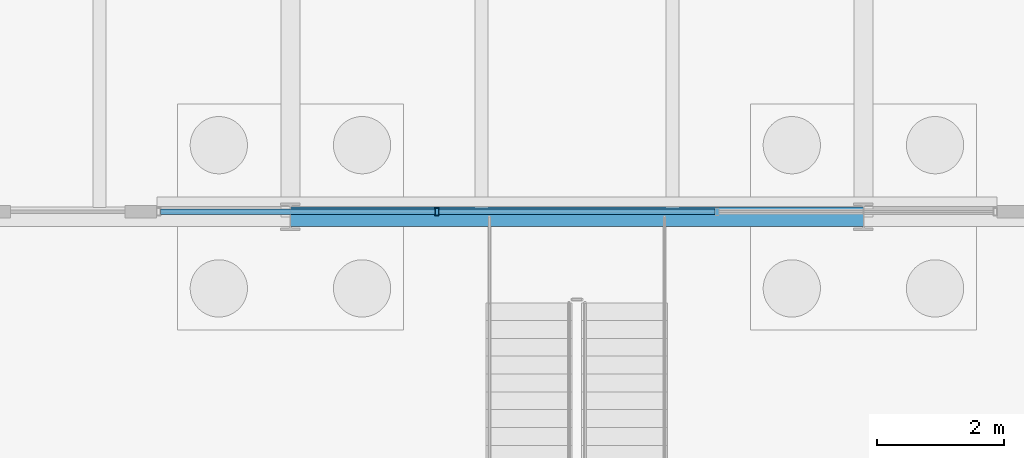
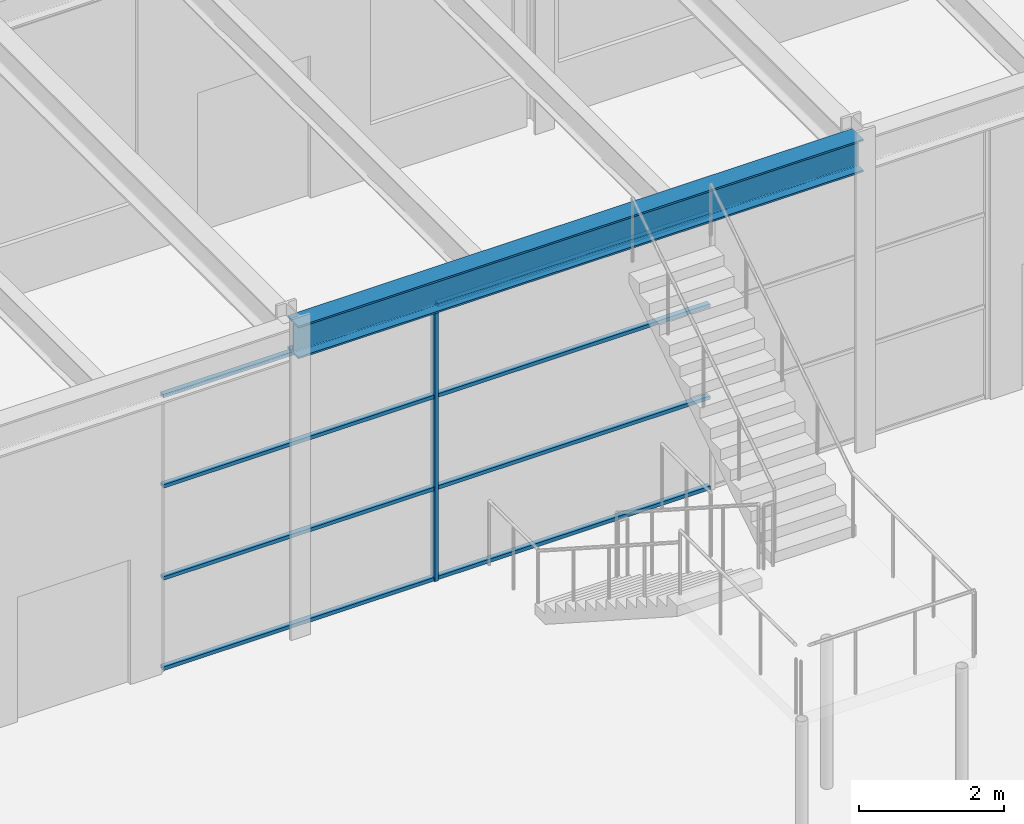
# One storey, part 44 of 126: 9 members, 1 beam, 1 element without a shape of its own.
"""IFC4 building model written with IfcOpenShell, lengths in metres."""

import ifcopenshell
import ifcopenshell.guid

model = None  # the IFC model being written
_history = None  # IfcOwnerHistory: only IFC2X3 demands one
_inside = {}  # id of a spatial element -> (the spatial element, [elements in it])
_under = {}  # id of a project, library or spatial element -> (it, [spatial elements below it])
_declared = {}  # id of a project -> (the project, [libraries it declares])
_typed = {}  # id of a type object -> (the type object, [elements of that type])
_made_of = {}  # id of a material, layer set ... -> (it, [elements and type objects made of it])


def new_model(schema):
    """Start an empty IFC model of exactly this schema.

    Asked for "IFC4X3", IfcOpenShell would pick the latest addendum, in which some entities
    have other attributes; the version numbers below select the first issue.
    IFC2X3 requires an IfcOwnerHistory on every rooted entity: one is made here for all.
    """
    global model, _history
    if schema == "IFC4X3":
        model = ifcopenshell.file(schema_version=(4, 3, 0, 0))
    else:
        model = ifcopenshell.file(schema=schema)
    _inside.clear()
    _under.clear()
    _declared.clear()
    _typed.clear()
    _made_of.clear()
    _history = None
    if model.schema == "IFC2X3":
        org = make("IfcOrganization", Name="unknown")
        user = make(
            "IfcPersonAndOrganization",
            ThePerson=make("IfcPerson", FamilyName="unknown"),
            TheOrganization=org,
        )
        app = make(
            "IfcApplication",
            ApplicationDeveloper=org,
            Version="unknown",
            ApplicationFullName="unknown",
            ApplicationIdentifier="unknown",
        )
        _history = make(
            "IfcOwnerHistory",
            OwningUser=user,
            OwningApplication=app,
            ChangeAction="ADDED",
            CreationDate=0,
        )
    return model


def make(cls, **values):
    """One entity of the class cls with the attributes given. An attribute that is None is left unset."""
    return model.create_entity(
        cls, **{name: value for name, value in values.items() if value is not None}
    )


def rooted(cls, **values):
    """An entity with a GlobalId (a new one), such as an element, a storey or a relation."""
    return make(cls, GlobalId=ifcopenshell.guid.new(), OwnerHistory=_history, **values)


def si_unit(unit_type, name, prefix=None):
    """IfcSIUnit, for example si_unit("LENGTHUNIT", "METRE", prefix="MILLI")."""
    return make("IfcSIUnit", UnitType=unit_type, Prefix=prefix, Name=name)


def assignment(units):
    """IfcUnitAssignment: the units of a project."""
    return None if units is None else make("IfcUnitAssignment", Units=units)


def point(xyz):
    """IfcCartesianPoint."""
    return None if xyz is None else make("IfcCartesianPoint", Coordinates=xyz)


def direction(xyz):
    """IfcDirection."""
    return None if xyz is None else make("IfcDirection", DirectionRatios=xyz)


def frame(location, z_axis=None, x_axis=None):
    """IfcAxis2Placement3D, a coordinate frame: its origin and axes. An axis left out is left unset."""
    return make(
        "IfcAxis2Placement3D",
        Location=point(location),
        Axis=direction(z_axis),
        RefDirection=direction(x_axis),
    )


def frame_2d(location, x_axis=None):
    """IfcAxis2Placement2D, a coordinate frame in the plane: its origin and x axis."""
    return make(
        "IfcAxis2Placement2D", Location=point(location), RefDirection=direction(x_axis)
    )


def origin():
    """The frame at (0, 0, 0) with its axes left unset."""
    return frame((0.0, 0.0, 0.0))


def origin_2d():
    """The frame at (0, 0) in the plane with its x axis left unset."""
    return frame_2d((0.0, 0.0))


def place(relative_to, where):
    """IfcLocalPlacement: puts the frame where relative to a parent placement (None: the world)."""
    return make(
        "IfcLocalPlacement", PlacementRelTo=relative_to, RelativePlacement=where
    )


def context(
    kind, dimensions, precision=None, world=None, true_north=None, identifier=None
):
    """IfcGeometricRepresentationContext, for example the 3D "Model" context."""
    return make(
        "IfcGeometricRepresentationContext",
        ContextIdentifier=identifier,
        ContextType=kind,
        CoordinateSpaceDimension=dimensions,
        Precision=precision,
        WorldCoordinateSystem=world,
        TrueNorth=true_north,
    )


def subcontext(parent, identifier, kind, view, scale=None):
    """IfcGeometricRepresentationSubContext, for example "Body" below "Model"."""
    return make(
        "IfcGeometricRepresentationSubContext",
        ContextIdentifier=identifier,
        ContextType=kind,
        ParentContext=parent,
        TargetScale=scale,
        TargetView=view,
    )


def project(units=None, contexts=None):
    """IfcProject with its units and contexts."""
    return rooted(
        "IfcProject",
        Name="project",
        RepresentationContexts=contexts,
        UnitsInContext=assignment(units),
    )


def spatial(cls, under=None, at=None, **own):
    """A site, building, storey or space (cls), placed at a placement, below another one or the project."""
    s = rooted(cls, ObjectPlacement=at, **own)
    if under is not None:
        _under.setdefault(under.id(), (under, []))[1].append(s)
    return s


def profile(cls, at=None, kind="AREA", **sizes):
    """A parametric profile (cls). Its sizes go by their IFC names, for example OverallWidth=200.0."""
    return make(cls, ProfileType=kind, Position=at, **sizes)


def hollow_rectangle(**sizes):
    """IfcRectangleHollowProfileDef."""
    return profile("IfcRectangleHollowProfileDef", **sizes)


def i_section(**sizes):
    """IfcIShapeProfileDef."""
    return profile("IfcIShapeProfileDef", **sizes)


def extrude(swept, where, along, depth):
    """IfcExtrudedAreaSolid: the profile swept, set in the frame where, extruded along a direction by depth."""
    return make(
        "IfcExtrudedAreaSolid",
        SweptArea=swept,
        Position=where,
        ExtrudedDirection=direction(along),
        Depth=depth,
    )


def shape(context_of_items, identifier, shape_type, items):
    """IfcShapeRepresentation: the items that make up one representation, for example the "Body"."""
    return make(
        "IfcShapeRepresentation",
        ContextOfItems=context_of_items,
        RepresentationIdentifier=identifier,
        RepresentationType=shape_type,
        Items=items,
    )


def material(Name=None, Category=None):
    """IfcMaterial."""
    return make("IfcMaterial", Name=Name, Category=Category)


def material_profile(
    of_material, cross_section, Name=None, Category=None, Priority=None
):
    """IfcMaterialProfile: a cross section and its material."""
    return make(
        "IfcMaterialProfile",
        Name=Name,
        Material=of_material,
        Profile=cross_section,
        Priority=Priority,
        Category=Category,
    )


def profile_set(profiles, Name=None, composite=None):
    """IfcMaterialProfileSet."""
    return make(
        "IfcMaterialProfileSet",
        Name=Name,
        MaterialProfiles=profiles,
        CompositeProfile=composite,
    )


def made_of(thing, what):
    """Note that an element or type object is made of a material, layer set ...; save() writes the relation."""
    if what is not None:
        _made_of.setdefault(what.id(), (what, []))[1].append(thing)
    return thing


def type_object(cls, material=None, **own):
    """A type object (cls), such as IfcWallType, which elements share."""
    return made_of(rooted(cls, **own), material)


def element(
    cls,
    number,
    at=None,
    inside=None,
    cuts=None,
    type_object=None,
    material=None,
    context=None,
    identifier="Body",
    shape_type=None,
    held_by="IfcProductDefinitionShape",
    body=None,
    shapes=None,
    **own,
):
    """One element of the class cls, such as IfcWall. Its Tag is "e" and its number.

    at: its placement. inside: the storey or other place that contains it. cuts: it is an
    opening in that element (IfcRelVoidsElement). A single representation is given by context,
    identifier, shape_type and body (its items); several are given by shapes. held_by: the class
    of the entity that holds the representations. save() writes the other relations.
    """
    e = rooted(cls, Tag="e%d" % number, ObjectPlacement=at, **own)
    if body is not None:
        shapes = [shape(context, identifier, shape_type, body)]
    if shapes is not None:
        e.Representation = make(held_by, Representations=shapes)
    if inside is not None:
        _inside.setdefault(inside.id(), (inside, []))[1].append(e)
    if cuts is not None:
        rooted(
            "IfcRelVoidsElement", RelatingBuildingElement=cuts, RelatedOpeningElement=e
        )
    if type_object is not None:
        _typed.setdefault(type_object.id(), (type_object, []))[1].append(e)
    return made_of(e, material)


def aggregate(whole, parts):
    """IfcRelAggregates: a whole, such as a stair, and the parts it consists of."""
    return rooted("IfcRelAggregates", RelatingObject=whole, RelatedObjects=parts)


def save(model, path):
    """Write the relations noted so far, then the file.

    IfcRelAggregates (storeys below a building ...), IfcRelContainedInSpatialStructure (elements
    in a storey), IfcRelDefinesByType, IfcRelAssociatesMaterial and IfcRelDeclares: one each for
    every whole, place, type object, material and project.
    """
    for whole, parts in _under.values():
        aggregate(whole, parts)
    for where, things in _inside.values():
        rooted(
            "IfcRelContainedInSpatialStructure",
            RelatedElements=things,
            RelatingStructure=where,
        )
    for kind, things in _typed.values():
        rooted("IfcRelDefinesByType", RelatedObjects=things, RelatingType=kind)
    for what, things in _made_of.values():
        rooted("IfcRelAssociatesMaterial", RelatedObjects=things, RelatingMaterial=what)
    for by, libraries in _declared.values():
        rooted("IfcRelDeclares", RelatingContext=by, RelatedDefinitions=libraries)
    model.write(path)


model = new_model("IFC4")

# Units and contexts
model_context = context("Model", 3, precision=1e-05, world=origin(), true_north=direction((0.0, 1.0)))
body_context = subcontext(model_context, "Body", "Model", "MODEL_VIEW")
ifc_project = project(units=[si_unit("LENGTHUNIT", "METRE"), si_unit("AREAUNIT", "SQUARE_METRE"), si_unit("VOLUMEUNIT", "CUBIC_METRE"), si_unit("PLANEANGLEUNIT", "RADIAN"), si_unit("MASSUNIT", "GRAM", prefix="KILO")], contexts=[model_context])

# Site, building, storey
site_placement = place(None, origin())
site = spatial("IfcSite", under=ifc_project, at=site_placement, CompositionType="ELEMENT")
building_placement = place(site_placement, origin())
building = spatial("IfcBuilding", under=site, at=building_placement, Name="Kallimachos Central Library", CompositionType="ELEMENT")
storey_placement = place(building_placement, origin())
storey = spatial("IfcBuildingStorey", under=building, at=storey_placement, Name="L00", CompositionType="ELEMENT", Elevation=0.0)

# Curtain wall, members
ifc_material_1 = material(Name="Aluminium and laminated glass", Category="aluminium")
curtain_wall_type = type_object("IfcCurtainWallType", Name="Atrium glazed screen", PredefinedType="NOTDEFINED", material=ifc_material_1)
curtain_wall_placement = place(storey_placement, origin())
curtain_wall = element("IfcCurtainWall", 1, at=curtain_wall_placement, inside=storey, type_object=curtain_wall_type, Name="L00 atrium screen N", PredefinedType="NOTDEFINED")
ifc_material_2 = material(Name="Anodised aluminium", Category="aluminium")
ifc_material_profile_1 = material_profile(ifc_material_2, hollow_rectangle(XDim=0.06005859375, YDim=0.1201171875, WallThickness=0.00390625, at=origin_2d()), Name="ALU MULLION 60x120")
ifc_profile_set_1 = profile_set([ifc_material_profile_1], Name="Anodised aluminium")
member_type_1 = type_object("IfcMemberType", Name="Atrium screen mullion", PredefinedType="MULLION", material=ifc_profile_set_1)
member_1_placement = place(storey_placement, frame((85.800048828125, 75.080078125, 0.0), z_axis=(0.0, 0.0, 1.0), x_axis=(1.0, 0.0, 0.0)))
member_1 = element("IfcMember", 2, at=member_1_placement, type_object=member_type_1, Name="CW mullion 2", PredefinedType="MULLION", context=body_context, shape_type="SweptSolid", body=[
    extrude(hollow_rectangle(XDim=0.06005859375, YDim=0.1201171875, WallThickness=0.00390625, at=origin_2d()), origin(), (0.0, 0.0, 1.0), 4.64990234375),
])
ifc_material_3 = material(Name="Anodised aluminium", Category="aluminium")
ifc_material_profile_2 = material_profile(ifc_material_3, hollow_rectangle(XDim=0.06005859375, YDim=0.080078125, WallThickness=0.00390625, at=origin_2d()), Name="ALU TRANSOM 60x80")
ifc_profile_set_2 = profile_set([ifc_material_profile_2], Name="Anodised aluminium")
member_type_2 = type_object("IfcMemberType", Name="Atrium screen transom", PredefinedType="USERDEFINED", material=ifc_profile_set_2)
member_2_placement = place(storey_placement, frame((81.4599609375, 75.080078125, 0.030029296875), z_axis=(1.0, 0.0, 0.0), x_axis=(0.0, 0.0, 1.0)))
member_2 = element("IfcMember", 3, at=member_2_placement, type_object=member_type_2, Name="CW transom 1.1", ObjectType="TRANSOM", PredefinedType="USERDEFINED", context=body_context, shape_type="SweptSolid", body=[
    extrude(hollow_rectangle(XDim=0.06005859375, YDim=0.080078125, WallThickness=0.00390625, at=origin_2d()), origin(), (0.0, 0.0, 1.0), 4.31005859375),
])
member_3_placement = place(storey_placement, frame((81.4599609375, 75.080078125, 1.550048828125), z_axis=(1.0, 0.0, 0.0), x_axis=(0.0, 0.0, 1.0)))
member_3 = element("IfcMember", 4, at=member_3_placement, type_object=member_type_2, Name="CW transom 1.2", ObjectType="TRANSOM", PredefinedType="USERDEFINED", context=body_context, shape_type="SweptSolid", body=[
    extrude(hollow_rectangle(XDim=0.06005859375, YDim=0.080078125, WallThickness=0.00390625, at=origin_2d()), origin(), (0.0, 0.0, 1.0), 4.31005859375),
])
member_4_placement = place(storey_placement, frame((81.4599609375, 75.080078125, 3.10009765625), z_axis=(1.0, 0.0, 0.0), x_axis=(0.0, 0.0, 1.0)))
member_4 = element("IfcMember", 5, at=member_4_placement, type_object=member_type_2, Name="CW transom 1.3", ObjectType="TRANSOM", PredefinedType="USERDEFINED", context=body_context, shape_type="SweptSolid", body=[
    extrude(hollow_rectangle(XDim=0.06005859375, YDim=0.080078125, WallThickness=0.00390625, at=origin_2d()), origin(), (0.0, 0.0, 1.0), 4.31005859375),
])
member_5_placement = place(storey_placement, frame((81.4599609375, 75.080078125, 4.6201171875), z_axis=(1.0, 0.0, 0.0), x_axis=(0.0, 0.0, 1.0)))
member_5 = element("IfcMember", 6, at=member_5_placement, type_object=member_type_2, Name="CW transom 1.4", ObjectType="TRANSOM", PredefinedType="USERDEFINED", context=body_context, shape_type="SweptSolid", body=[
    extrude(hollow_rectangle(XDim=0.06005859375, YDim=0.080078125, WallThickness=0.00390625, at=origin_2d()), origin(), (0.0, 0.0, 1.0), 4.31005859375),
])
member_6_placement = place(storey_placement, frame((85.830078125, 75.080078125, 0.030029296875), z_axis=(1.0, 0.0, 0.0), x_axis=(0.0, 0.0, 1.0)))
member_6 = element("IfcMember", 7, at=member_6_placement, type_object=member_type_2, Name="CW transom 2.1", ObjectType="TRANSOM", PredefinedType="USERDEFINED", context=body_context, shape_type="SweptSolid", body=[
    extrude(hollow_rectangle(XDim=0.06005859375, YDim=0.080078125, WallThickness=0.00390625, at=origin_2d()), origin(), (0.0, 0.0, 1.0), 4.33984375),
])
member_7_placement = place(storey_placement, frame((85.830078125, 75.080078125, 1.550048828125), z_axis=(1.0, 0.0, 0.0), x_axis=(0.0, 0.0, 1.0)))
member_7 = element("IfcMember", 8, at=member_7_placement, type_object=member_type_2, Name="CW transom 2.2", ObjectType="TRANSOM", PredefinedType="USERDEFINED", context=body_context, shape_type="SweptSolid", body=[
    extrude(hollow_rectangle(XDim=0.06005859375, YDim=0.080078125, WallThickness=0.00390625, at=origin_2d()), origin(), (0.0, 0.0, 1.0), 4.33984375),
])
member_8_placement = place(storey_placement, frame((85.830078125, 75.080078125, 3.10009765625), z_axis=(1.0, 0.0, 0.0), x_axis=(0.0, 0.0, 1.0)))
member_8 = element("IfcMember", 9, at=member_8_placement, type_object=member_type_2, Name="CW transom 2.3", ObjectType="TRANSOM", PredefinedType="USERDEFINED", context=body_context, shape_type="SweptSolid", body=[
    extrude(hollow_rectangle(XDim=0.06005859375, YDim=0.080078125, WallThickness=0.00390625, at=origin_2d()), origin(), (0.0, 0.0, 1.0), 4.33984375),
])
member_9_placement = place(storey_placement, frame((85.830078125, 75.080078125, 4.6201171875), z_axis=(1.0, 0.0, 0.0), x_axis=(0.0, 0.0, 1.0)))
member_9 = element("IfcMember", 10, at=member_9_placement, type_object=member_type_2, Name="CW transom 2.4", ObjectType="TRANSOM", PredefinedType="USERDEFINED", context=body_context, shape_type="SweptSolid", body=[
    extrude(hollow_rectangle(XDim=0.06005859375, YDim=0.080078125, WallThickness=0.00390625, at=origin_2d()), origin(), (0.0, 0.0, 1.0), 4.33984375),
])
aggregate(curtain_wall, [member_1, member_2, member_3, member_4, member_5, member_6, member_7, member_8, member_9])

# Beam
ifc_material_4 = material(Name="Steel S355J2", Category="steel")
ifc_material_profile_3 = material_profile(ifc_material_4, i_section(OverallWidth=0.300048828125, OverallDepth=0.550048828125, WebThickness=0.014892578125, FlangeThickness=0.029052734375, FilletRadius=0.027099609375, at=origin_2d()), Name="HEB 550")
ifc_profile_set_3 = profile_set([ifc_material_profile_3], Name="Steel S355J2")
beam_type = type_object("IfcBeamType", Name="HEB 550 beam", PredefinedType="BEAM", material=ifc_profile_set_3)
beam_placement = place(storey_placement, frame((83.5, 75.0, 4.925048828125), z_axis=(1.0, 0.0, 0.0), x_axis=(0.0, 1.0, 0.0)))
element("IfcBeam", 11, at=beam_placement, inside=storey, type_object=beam_type, Name="V4-BEM-L00-002", PredefinedType="BEAM", context=body_context, shape_type="SweptSolid", body=[
    extrude(i_section(OverallWidth=0.300048828125, OverallDepth=0.550048828125, WebThickness=0.014892578125, FlangeThickness=0.029052734375, FilletRadius=0.027099609375, at=origin_2d()), origin(), (0.0, 0.0, 1.0), 9.0),
])

save(model, "model.ifc")
